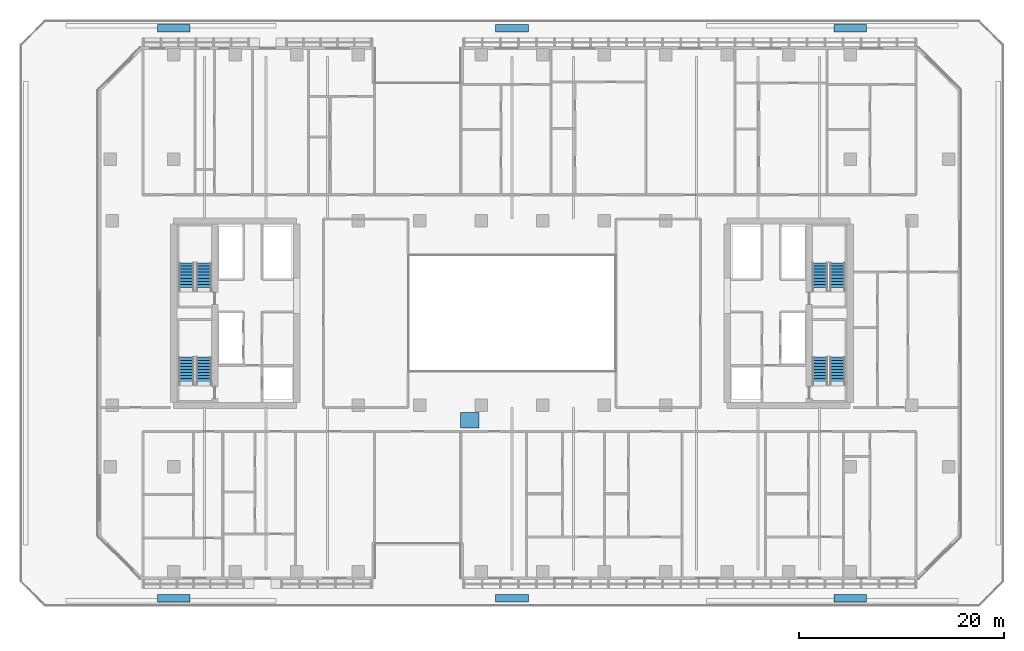
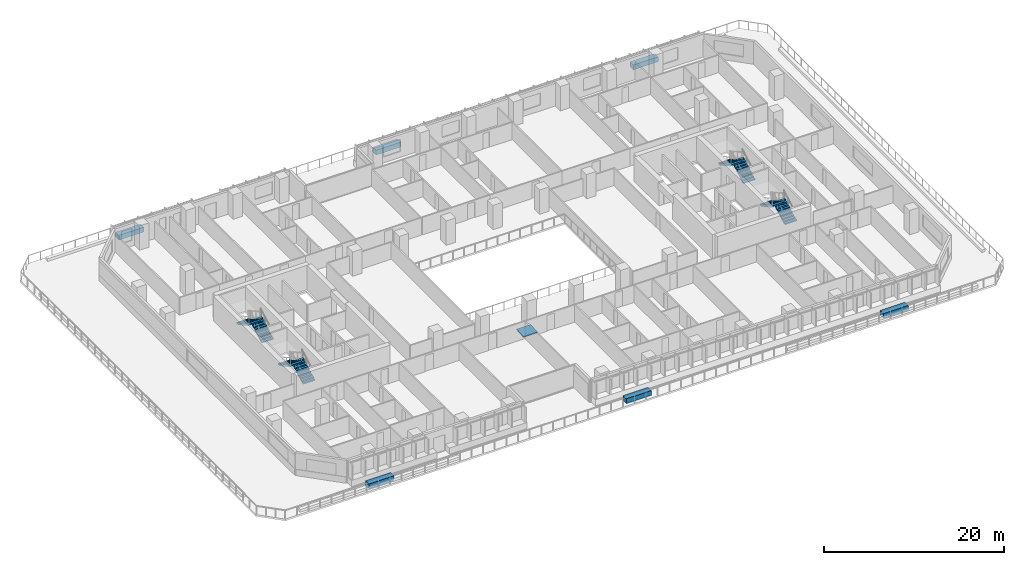
# One storey, part 13 of 23: 8 stair flights, 6 discrete accessories, 1 ramp, 1 ramp flight, 4 elements without a shape of their own.
"""IFC4 building model written with IfcOpenShell, lengths in metres."""

from ifc_helpers import new_model, si_unit, direction, frame, origin, origin_2d, place, context, subcontext, project, spatial, polyline, rectangle, outline, extrude, material, layer, layer_set, type_object, element, aggregate, save


model = new_model("IFC4")

# Units and contexts
model_context = context("Model", 3, precision=1e-05, world=origin(), true_north=direction((0.0, 1.0)))
body_context = subcontext(model_context, "Body", "Model", "MODEL_VIEW")
ifc_project = project(units=[si_unit("LENGTHUNIT", "METRE"), si_unit("AREAUNIT", "SQUARE_METRE"), si_unit("VOLUMEUNIT", "CUBIC_METRE"), si_unit("PLANEANGLEUNIT", "RADIAN"), si_unit("MASSUNIT", "GRAM", prefix="KILO")], contexts=[model_context])

# Site, building, storey
site_placement = place(None, origin())
site = spatial("IfcSite", under=ifc_project, at=site_placement, CompositionType="ELEMENT")
building_placement = place(site_placement, origin())
building = spatial("IfcBuilding", under=site, at=building_placement, Name="Tanjung Sevakor Pilgrim Tower", CompositionType="ELEMENT")
storey_placement = place(building_placement, frame((0.0, 0.0, 29.0400390625)))
storey = spatial("IfcBuildingStorey", under=building, at=storey_placement, Name="L07", CompositionType="ELEMENT", Elevation=29.0400390625)

# Stair, stair flights
ifc_material_1 = material(Name="Concrete C40/50", Category="concrete")
stair_type = type_object("IfcStairType", Name="STAIR-ST-CR150", PredefinedType="HALF_TURN_STAIR", material=ifc_material_1)
stair_1_placement = place(storey_placement, origin())
stair_1 = element("IfcStair", 1, at=stair_1_placement, inside=storey, type_object=stair_type, Name="L07 West Core Exit Stair 1", PredefinedType="HALF_TURN_STAIR")
ifc_material_2 = material(Name="Concrete C40/50", Category="concrete")
stair_flight_type = type_object("IfcStairFlightType", Name="FLIGHT-ST-CR150", PredefinedType="STRAIGHT", material=ifc_material_2)
stair_flight_1_placement = place(storey_placement, frame((26.949951171875, 26.60009765625, 0.0), z_axis=(0.0, 0.0, 1.0), x_axis=(0.0, 1.0, 0.0)))
stair_flight_1 = element("IfcStairFlight", 2, at=stair_flight_1_placement, type_object=stair_flight_type, Name="TS-W1 flight 1", NumberOfRisers=10, NumberOfTreads=9, PredefinedType="STRAIGHT", RiserHeight=0.165, TreadLength=0.3, context=body_context, shape_type="SweptSolid", body=[
    extrude(outline(polyline([(0.0, 0.0), (0.0, 0.1650390625), (0.300048828125, 0.1650390625), (0.300048828125, 0.330078125), (0.60009765625, 0.330078125), (0.60009765625, 0.4951171875), (0.89990234375, 0.4951171875), (0.89990234375, 0.659912109375), (1.199951171875, 0.659912109375), (1.199951171875, 0.824951171875), (1.5, 0.824951171875), (1.5, 0.989990234375), (1.800048828125, 0.989990234375), (1.800048828125, 1.155029296875), (2.10009765625, 1.155029296875), (2.10009765625, 1.320068359375), (2.39990234375, 1.320068359375), (2.39990234375, 1.485107421875), (2.699951171875, 1.485107421875), (2.699951171875, 1.64990234375), (2.699951171875, 1.302490234375), (0.331787109375, 0.0), (0.0, 0.0)])), frame((0.0, 0.75, 0.0), z_axis=(0.0, -1.0, 0.0), x_axis=(1.0, 0.0, 0.0)), (0.0, 0.0, 1.0), 1.5),
])
stair_flight_2_placement = place(storey_placement, frame((25.25, 29.300048828125, 1.64990234375), z_axis=(0.0, 0.0, 1.0), x_axis=(0.0, -1.0, 0.0)))
stair_flight_2 = element("IfcStairFlight", 3, at=stair_flight_2_placement, type_object=stair_flight_type, Name="TS-W1 flight 2", NumberOfRisers=10, NumberOfTreads=9, PredefinedType="STRAIGHT", RiserHeight=0.165, TreadLength=0.3, context=body_context, shape_type="SweptSolid", body=[
    extrude(outline(polyline([(0.0, 0.0), (0.0, 0.1650390625), (0.300048828125, 0.1650390625), (0.300048828125, 0.330078125), (0.60009765625, 0.330078125), (0.60009765625, 0.4951171875), (0.89990234375, 0.4951171875), (0.89990234375, 0.659912109375), (1.199951171875, 0.659912109375), (1.199951171875, 0.824951171875), (1.5, 0.824951171875), (1.5, 0.989990234375), (1.800048828125, 0.989990234375), (1.800048828125, 1.155029296875), (2.10009765625, 1.155029296875), (2.10009765625, 1.320068359375), (2.39990234375, 1.320068359375), (2.39990234375, 1.485107421875), (2.699951171875, 1.485107421875), (2.699951171875, 1.64990234375), (2.699951171875, 1.302490234375), (0.331787109375, 0.0), (0.0, 0.0)])), frame((0.0, 0.75, 0.0), z_axis=(0.0, -1.0, 0.0), x_axis=(1.0, 0.0, 0.0)), (0.0, 0.0, 1.0), 1.5),
])
aggregate(stair_1, [stair_flight_1, stair_flight_2])

stair_2_placement = place(storey_placement, origin())
stair_2 = element("IfcStair", 4, at=stair_2_placement, inside=storey, type_object=stair_type, Name="L07 West Core Exit Stair 2", PredefinedType="HALF_TURN_STAIR")
stair_flight_3_placement = place(storey_placement, frame((26.949951171875, 35.800048828125, 0.0), z_axis=(0.0, 0.0, 1.0), x_axis=(0.0, 1.0, 0.0)))
stair_flight_3 = element("IfcStairFlight", 5, at=stair_flight_3_placement, type_object=stair_flight_type, Name="TS-W2 flight 1", NumberOfRisers=10, NumberOfTreads=9, PredefinedType="STRAIGHT", RiserHeight=0.165, TreadLength=0.3, context=body_context, shape_type="SweptSolid", body=[
    extrude(outline(polyline([(0.0, 0.0), (0.0, 0.1650390625), (0.300048828125, 0.1650390625), (0.300048828125, 0.330078125), (0.60009765625, 0.330078125), (0.60009765625, 0.4951171875), (0.89990234375, 0.4951171875), (0.89990234375, 0.659912109375), (1.199951171875, 0.659912109375), (1.199951171875, 0.824951171875), (1.5, 0.824951171875), (1.5, 0.989990234375), (1.800048828125, 0.989990234375), (1.800048828125, 1.155029296875), (2.10009765625, 1.155029296875), (2.10009765625, 1.320068359375), (2.39990234375, 1.320068359375), (2.39990234375, 1.485107421875), (2.699951171875, 1.485107421875), (2.699951171875, 1.64990234375), (2.699951171875, 1.302490234375), (0.331787109375, 0.0), (0.0, 0.0)])), frame((0.0, 0.75, 0.0), z_axis=(0.0, -1.0, 0.0), x_axis=(1.0, 0.0, 0.0)), (0.0, 0.0, 1.0), 1.5),
])
stair_flight_4_placement = place(storey_placement, frame((25.25, 38.5, 1.64990234375), z_axis=(0.0, 0.0, 1.0), x_axis=(0.0, -1.0, 0.0)))
stair_flight_4 = element("IfcStairFlight", 6, at=stair_flight_4_placement, type_object=stair_flight_type, Name="TS-W2 flight 2", NumberOfRisers=10, NumberOfTreads=9, PredefinedType="STRAIGHT", RiserHeight=0.165, TreadLength=0.3, context=body_context, shape_type="SweptSolid", body=[
    extrude(outline(polyline([(0.0, 0.0), (0.0, 0.1650390625), (0.300048828125, 0.1650390625), (0.300048828125, 0.330078125), (0.60009765625, 0.330078125), (0.60009765625, 0.4951171875), (0.89990234375, 0.4951171875), (0.89990234375, 0.659912109375), (1.199951171875, 0.659912109375), (1.199951171875, 0.824951171875), (1.5, 0.824951171875), (1.5, 0.989990234375), (1.800048828125, 0.989990234375), (1.800048828125, 1.155029296875), (2.10009765625, 1.155029296875), (2.10009765625, 1.320068359375), (2.39990234375, 1.320068359375), (2.39990234375, 1.485107421875), (2.699951171875, 1.485107421875), (2.699951171875, 1.64990234375), (2.699951171875, 1.302490234375), (0.331787109375, 0.0), (0.0, 0.0)])), frame((0.0, 0.75, 0.0), z_axis=(0.0, -1.0, 0.0), x_axis=(1.0, 0.0, 0.0)), (0.0, 0.0, 1.0), 1.5),
])
aggregate(stair_2, [stair_flight_3, stair_flight_4])

stair_3_placement = place(storey_placement, origin())
stair_3 = element("IfcStair", 7, at=stair_3_placement, inside=storey, type_object=stair_type, Name="L07 East Core Exit Stair 1", PredefinedType="HALF_TURN_STAIR")
stair_flight_5_placement = place(storey_placement, frame((88.75, 26.60009765625, 0.0), z_axis=(0.0, 0.0, 1.0), x_axis=(0.0, 1.0, 0.0)))
stair_flight_5 = element("IfcStairFlight", 8, at=stair_flight_5_placement, type_object=stair_flight_type, Name="TS-E1 flight 1", NumberOfRisers=10, NumberOfTreads=9, PredefinedType="STRAIGHT", RiserHeight=0.165, TreadLength=0.3, context=body_context, shape_type="SweptSolid", body=[
    extrude(outline(polyline([(0.0, 0.0), (0.0, 0.1650390625), (0.300048828125, 0.1650390625), (0.300048828125, 0.330078125), (0.60009765625, 0.330078125), (0.60009765625, 0.4951171875), (0.89990234375, 0.4951171875), (0.89990234375, 0.659912109375), (1.199951171875, 0.659912109375), (1.199951171875, 0.824951171875), (1.5, 0.824951171875), (1.5, 0.989990234375), (1.800048828125, 0.989990234375), (1.800048828125, 1.155029296875), (2.10009765625, 1.155029296875), (2.10009765625, 1.320068359375), (2.39990234375, 1.320068359375), (2.39990234375, 1.485107421875), (2.699951171875, 1.485107421875), (2.699951171875, 1.64990234375), (2.699951171875, 1.302490234375), (0.331787109375, 0.0), (0.0, 0.0)])), frame((0.0, 0.75, 0.0), z_axis=(0.0, -1.0, 0.0), x_axis=(1.0, 0.0, 0.0)), (0.0, 0.0, 1.0), 1.5),
])
stair_flight_6_placement = place(storey_placement, frame((87.050048828125, 29.300048828125, 1.64990234375), z_axis=(0.0, 0.0, 1.0), x_axis=(0.0, -1.0, 0.0)))
stair_flight_6 = element("IfcStairFlight", 9, at=stair_flight_6_placement, type_object=stair_flight_type, Name="TS-E1 flight 2", NumberOfRisers=10, NumberOfTreads=9, PredefinedType="STRAIGHT", RiserHeight=0.165, TreadLength=0.3, context=body_context, shape_type="SweptSolid", body=[
    extrude(outline(polyline([(0.0, 0.0), (0.0, 0.1650390625), (0.300048828125, 0.1650390625), (0.300048828125, 0.330078125), (0.60009765625, 0.330078125), (0.60009765625, 0.4951171875), (0.89990234375, 0.4951171875), (0.89990234375, 0.659912109375), (1.199951171875, 0.659912109375), (1.199951171875, 0.824951171875), (1.5, 0.824951171875), (1.5, 0.989990234375), (1.800048828125, 0.989990234375), (1.800048828125, 1.155029296875), (2.10009765625, 1.155029296875), (2.10009765625, 1.320068359375), (2.39990234375, 1.320068359375), (2.39990234375, 1.485107421875), (2.699951171875, 1.485107421875), (2.699951171875, 1.64990234375), (2.699951171875, 1.302490234375), (0.331787109375, 0.0), (0.0, 0.0)])), frame((0.0, 0.75, 0.0), z_axis=(0.0, -1.0, 0.0), x_axis=(1.0, 0.0, 0.0)), (0.0, 0.0, 1.0), 1.5),
])
aggregate(stair_3, [stair_flight_5, stair_flight_6])

stair_4_placement = place(storey_placement, origin())
stair_4 = element("IfcStair", 10, at=stair_4_placement, inside=storey, type_object=stair_type, Name="L07 East Core Exit Stair 2", PredefinedType="HALF_TURN_STAIR")
stair_flight_7_placement = place(storey_placement, frame((88.75, 35.800048828125, 0.0), z_axis=(0.0, 0.0, 1.0), x_axis=(0.0, 1.0, 0.0)))
stair_flight_7 = element("IfcStairFlight", 11, at=stair_flight_7_placement, type_object=stair_flight_type, Name="TS-E2 flight 1", NumberOfRisers=10, NumberOfTreads=9, PredefinedType="STRAIGHT", RiserHeight=0.165, TreadLength=0.3, context=body_context, shape_type="SweptSolid", body=[
    extrude(outline(polyline([(0.0, 0.0), (0.0, 0.1650390625), (0.300048828125, 0.1650390625), (0.300048828125, 0.330078125), (0.60009765625, 0.330078125), (0.60009765625, 0.4951171875), (0.89990234375, 0.4951171875), (0.89990234375, 0.659912109375), (1.199951171875, 0.659912109375), (1.199951171875, 0.824951171875), (1.5, 0.824951171875), (1.5, 0.989990234375), (1.800048828125, 0.989990234375), (1.800048828125, 1.155029296875), (2.10009765625, 1.155029296875), (2.10009765625, 1.320068359375), (2.39990234375, 1.320068359375), (2.39990234375, 1.485107421875), (2.699951171875, 1.485107421875), (2.699951171875, 1.64990234375), (2.699951171875, 1.302490234375), (0.331787109375, 0.0), (0.0, 0.0)])), frame((0.0, 0.75, 0.0), z_axis=(0.0, -1.0, 0.0), x_axis=(1.0, 0.0, 0.0)), (0.0, 0.0, 1.0), 1.5),
])
stair_flight_8_placement = place(storey_placement, frame((87.050048828125, 38.5, 1.64990234375), z_axis=(0.0, 0.0, 1.0), x_axis=(0.0, -1.0, 0.0)))
stair_flight_8 = element("IfcStairFlight", 12, at=stair_flight_8_placement, type_object=stair_flight_type, Name="TS-E2 flight 2", NumberOfRisers=10, NumberOfTreads=9, PredefinedType="STRAIGHT", RiserHeight=0.165, TreadLength=0.3, context=body_context, shape_type="SweptSolid", body=[
    extrude(outline(polyline([(0.0, 0.0), (0.0, 0.1650390625), (0.300048828125, 0.1650390625), (0.300048828125, 0.330078125), (0.60009765625, 0.330078125), (0.60009765625, 0.4951171875), (0.89990234375, 0.4951171875), (0.89990234375, 0.659912109375), (1.199951171875, 0.659912109375), (1.199951171875, 0.824951171875), (1.5, 0.824951171875), (1.5, 0.989990234375), (1.800048828125, 0.989990234375), (1.800048828125, 1.155029296875), (2.10009765625, 1.155029296875), (2.10009765625, 1.320068359375), (2.39990234375, 1.320068359375), (2.39990234375, 1.485107421875), (2.699951171875, 1.485107421875), (2.699951171875, 1.64990234375), (2.699951171875, 1.302490234375), (0.331787109375, 0.0), (0.0, 0.0)])), frame((0.0, 0.75, 0.0), z_axis=(0.0, -1.0, 0.0), x_axis=(1.0, 0.0, 0.0)), (0.0, 0.0, 1.0), 1.5),
])
aggregate(stair_4, [stair_flight_7, stair_flight_8])

# Ramp, ramp flight
ifc_material_3 = material(Name="Concrete C40/50", Category="concrete")
ramp_type = type_object("IfcRampType", Name="RAMP-PED-A", PredefinedType="STRAIGHT_RUN_RAMP", material=ifc_material_3)
ramp_placement = place(storey_placement, frame((52.0, 22.39990234375, 0.0), z_axis=(0.0, -0.079661392069, 0.996821981406), x_axis=(1.0, 0.0, 0.0)))
ramp = element("IfcRamp", 13, at=ramp_placement, inside=storey, type_object=ramp_type, Name="L07 Accessible Pedestrian Ramp 6", PredefinedType="STRAIGHT_RUN_RAMP", context=body_context, shape_type="SweptSolid", body=[
    extrude(outline(polyline([(0.0, 0.0), (1.800048828125, 0.0), (1.800048828125, 1.5047822258941974), (0.0, 1.5047822258941974), (0.0, 0.0)])), origin(), (0.0, 0.0, -1.0), 0.14990234375),
])
ifc_material_4 = material(Name="Concrete C40/50", Category="concrete")
ifc_layer = layer(ifc_material_4, 0.14990234375)
ifc_layer_set = layer_set([ifc_layer], Name="RMPFL-PED")
ramp_flight_type = type_object("IfcRampFlightType", Name="RMPFL-PED", PredefinedType="STRAIGHT", material=ifc_layer_set)
ramp_flight_placement = place(storey_placement, frame((52.0, 22.39990234375, 0.0), z_axis=(0.0, -0.079661392069, 0.996821981406), x_axis=(1.0, 0.0, 0.0)))
ramp_flight = element("IfcRampFlight", 14, at=ramp_flight_placement, type_object=ramp_flight_type, Name="L07 Accessible Ramp Flight 6", PredefinedType="STRAIGHT", context=body_context, shape_type="SweptSolid", body=[
    extrude(outline(polyline([(0.0, 0.0), (1.800048828125, 0.0), (1.800048828125, 1.5047822258941974), (0.0, 1.5047822258941974), (0.0, 0.0)])), origin(), (0.0, 0.0, -1.0), 0.14990234375),
])
aggregate(ramp, [ramp_flight])

# Discrete accessories
ifc_material_5 = material(Name="Reconstructed Limestone Precast C45/55", Category="masonry")
discrete_accessory_type = type_object("IfcDiscreteAccessoryType", Name="ACC-PLANTER-STN1", PredefinedType="USERDEFINED", material=ifc_material_5)
for number, where, z_axis, x_axis, name in (
    (15, (24.0, 5.800048828125, 0.0), (0.0, 0.0, 1.0), (1.0, 0.0, 0.0), "L07 Cascade Terrace Stone Planter S-001"),
    (16, (24.0, 61.39990234375, 0.0), (0.0, 0.0, 1.0), (1.0, 0.0, 0.0), "L07 Cascade Terrace Stone Planter N-002"),
    (17, (57.0, 5.800048828125, 0.0), (0.0, 0.0, 1.0), (1.0, 0.0, 0.0), "L07 Cascade Terrace Stone Planter S-003"),
    (18, (57.0, 61.39990234375, 0.0), (0.0, 0.0, 1.0), (1.0, 0.0, 0.0), "L07 Cascade Terrace Stone Planter N-004"),
    (19, (90.0, 5.800048828125, 0.0), (0.0, 0.0, 1.0), (1.0, 0.0, 0.0), "L07 Cascade Terrace Stone Planter S-005"),
    (20, (90.0, 61.39990234375, 0.0), (0.0, 0.0, 1.0), (1.0, 0.0, 0.0), "L07 Cascade Terrace Stone Planter N-006"),
):
    element("IfcDiscreteAccessory", number, at=place(storey_placement, frame(where, z_axis=z_axis, x_axis=x_axis)), inside=storey, type_object=discrete_accessory_type, Name=name, ObjectType="PLANTER", PredefinedType="USERDEFINED", context=body_context, shape_type="SweptSolid", body=[
        extrude(rectangle(XDim=3.199951171875, YDim=0.75, at=origin_2d()), origin(), (0.0, 0.0, 1.0), 0.64990234375),
    ])

save(model, "model.ifc")
